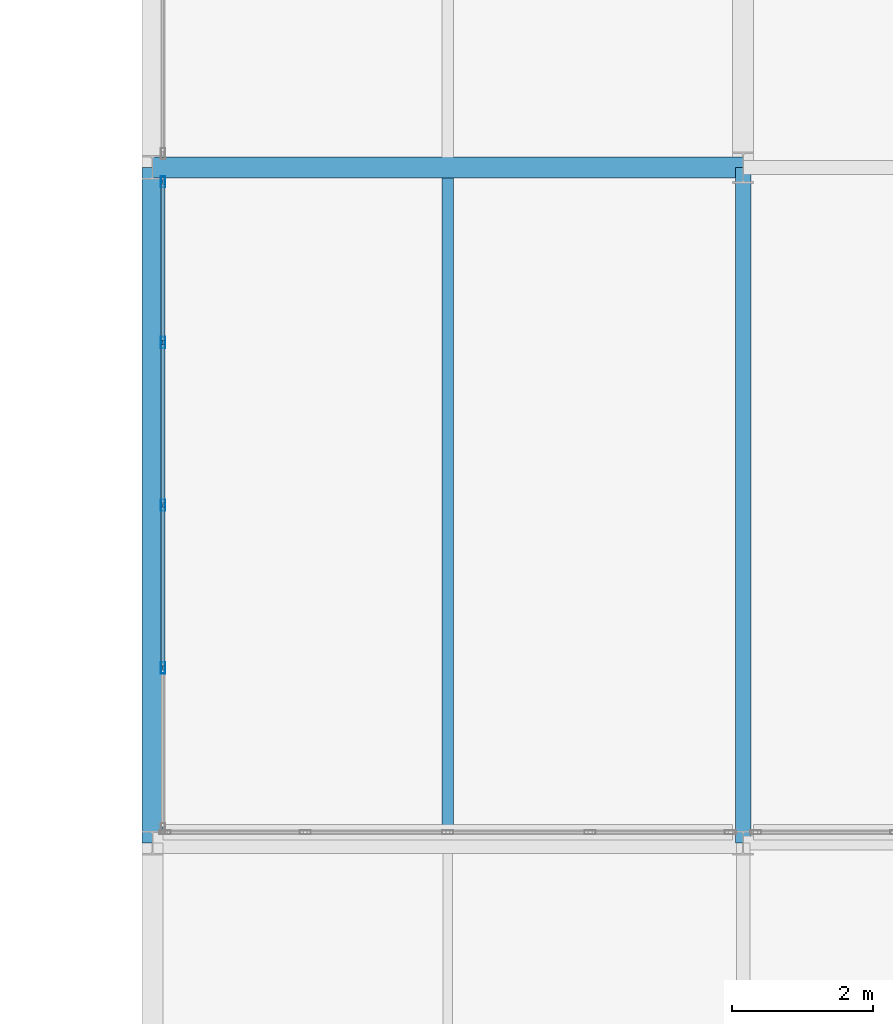
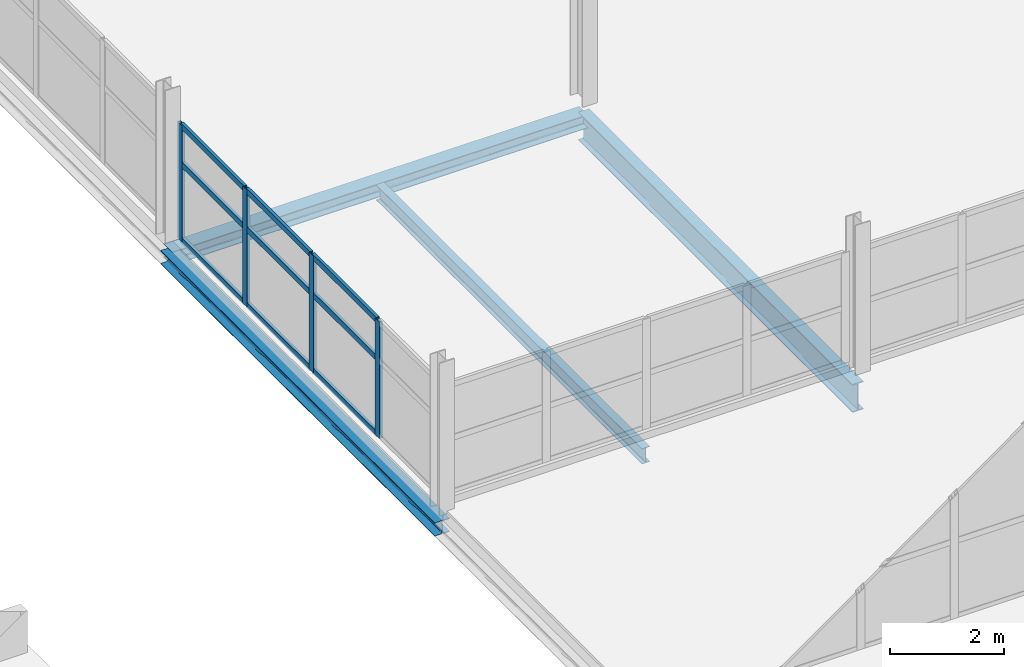
# One storey, part 25 of 103: 13 members, 4 beams, 1 element without a shape of its own.
"""IFC4 building model written with IfcOpenShell, lengths in metres."""

from ifc_helpers import new_model, si_unit, direction, frame, origin, origin_2d, place, context, subcontext, project, spatial, hollow_rectangle, i_section, extrude, material, material_profile, profile_set, type_object, element, aggregate, save


model = new_model("IFC4")

# Units and contexts
model_context = context("Model", 3, precision=1e-05, world=origin(), true_north=direction((0.0, 1.0)))
body_context = subcontext(model_context, "Body", "Model", "MODEL_VIEW")
ifc_project = project(units=[si_unit("LENGTHUNIT", "METRE"), si_unit("AREAUNIT", "SQUARE_METRE"), si_unit("VOLUMEUNIT", "CUBIC_METRE"), si_unit("PLANEANGLEUNIT", "RADIAN"), si_unit("MASSUNIT", "GRAM", prefix="KILO")], contexts=[model_context])

# Site, building, storey
site_placement = place(None, origin())
site = spatial("IfcSite", under=ifc_project, at=site_placement, CompositionType="ELEMENT")
building_placement = place(site_placement, origin())
building = spatial("IfcBuilding", under=site, at=building_placement, Name="Veltarok Museum of Natural Sciences", CompositionType="ELEMENT")
storey_placement = place(building_placement, frame((0.0, 0.0, 21.89990234375)))
storey = spatial("IfcBuildingStorey", under=building, at=storey_placement, Name="L04", CompositionType="ELEMENT", Elevation=21.89990234375)

# Curtain wall, members
ifc_material_1 = material(Name="Low-iron triple insulated glass", Category="glass")
curtain_wall_type = type_object("IfcCurtainWallType", Name="Curtain Wall System CW-V2W-L04-3-926x249 (CW-V2W L04 926x249cm)", PredefinedType="NOTDEFINED", material=ifc_material_1)
curtain_wall_placement = place(storey_placement, origin())
curtain_wall = element("IfcCurtainWall", 1, at=curtain_wall_placement, inside=storey, type_object=curtain_wall_type, Name="Curtain Wall CW-V2W-L04-3-926x249 CW-0147", PredefinedType="NOTDEFINED")
ifc_material_2 = material(Name="Thermally broken anodised aluminium", Category="aluminium")
ifc_material_profile_1 = material_profile(ifc_material_2, hollow_rectangle(XDim=0.06005859375, YDim=0.1201171875, WallThickness=0.0048828125, at=origin_2d()), Name="CW TRANSOM 60x120x5")
ifc_profile_set_1 = profile_set([ifc_material_profile_1], Name="Thermally broken anodised aluminium")
member_type_1 = type_object("IfcMemberType", Name="Curtain Wall Horizontal Transom 60x120x5", PredefinedType="USERDEFINED", material=ifc_profile_set_1)
member_1_placement = place(storey_placement, frame((40.14990234375, 28.9150390625, 0.028076171875), z_axis=(0.0, 1.0, 0.0), x_axis=(-1.0, 0.0, 0.0)))
member_1 = element("IfcMember", 2, at=member_1_placement, type_object=member_type_1, Name="CW-V2W-L04-3-926x249 transom 2.1", ObjectType="TRANSOM", PredefinedType="USERDEFINED", context=body_context, shape_type="SweptSolid", body=[
    extrude(hollow_rectangle(XDim=0.06005859375, YDim=0.1201171875, WallThickness=0.0048828125, at=origin_2d()), origin(), (0.0, 0.0, 1.0), 2.2548828125),
])
member_2_placement = place(storey_placement, frame((40.14990234375, 28.9150390625, 1.648193359375), z_axis=(0.0, 1.0, 0.0), x_axis=(-1.0, 0.0, 0.0)))
member_2 = element("IfcMember", 3, at=member_2_placement, type_object=member_type_1, Name="CW-V2W-L04-3-926x249 transom 2.2", ObjectType="TRANSOM", PredefinedType="USERDEFINED", context=body_context, shape_type="SweptSolid", body=[
    extrude(hollow_rectangle(XDim=0.06005859375, YDim=0.1201171875, WallThickness=0.0048828125, at=origin_2d()), origin(), (0.0, 0.0, 1.0), 2.2548828125),
])
member_3_placement = place(storey_placement, frame((40.14990234375, 28.9150390625, 2.460205078125), z_axis=(0.0, 1.0, 0.0), x_axis=(-1.0, 0.0, 0.0)))
member_3 = element("IfcMember", 4, at=member_3_placement, type_object=member_type_1, Name="CW-V2W-L04-3-926x249 transom 2.3", ObjectType="TRANSOM", PredefinedType="USERDEFINED", context=body_context, shape_type="SweptSolid", body=[
    extrude(hollow_rectangle(XDim=0.06005859375, YDim=0.1201171875, WallThickness=0.0048828125, at=origin_2d()), origin(), (0.0, 0.0, 1.0), 2.2548828125),
])
member_4_placement = place(storey_placement, frame((40.14990234375, 31.22998046875, 0.028076171875), z_axis=(0.0, 1.0, 0.0), x_axis=(-1.0, 0.0, 0.0)))
member_4 = element("IfcMember", 5, at=member_4_placement, type_object=member_type_1, Name="CW-V2W-L04-3-926x249 transom 3.1", ObjectType="TRANSOM", PredefinedType="USERDEFINED", context=body_context, shape_type="SweptSolid", body=[
    extrude(hollow_rectangle(XDim=0.06005859375, YDim=0.1201171875, WallThickness=0.0048828125, at=origin_2d()), origin(), (0.0, 0.0, 1.0), 2.255126953125),
])
member_5_placement = place(storey_placement, frame((40.14990234375, 31.22998046875, 1.648193359375), z_axis=(0.0, 1.0, 0.0), x_axis=(-1.0, 0.0, 0.0)))
member_5 = element("IfcMember", 6, at=member_5_placement, type_object=member_type_1, Name="CW-V2W-L04-3-926x249 transom 3.2", ObjectType="TRANSOM", PredefinedType="USERDEFINED", context=body_context, shape_type="SweptSolid", body=[
    extrude(hollow_rectangle(XDim=0.06005859375, YDim=0.1201171875, WallThickness=0.0048828125, at=origin_2d()), origin(), (0.0, 0.0, 1.0), 2.255126953125),
])
member_6_placement = place(storey_placement, frame((40.14990234375, 31.22998046875, 2.460205078125), z_axis=(0.0, 1.0, 0.0), x_axis=(-1.0, 0.0, 0.0)))
member_6 = element("IfcMember", 7, at=member_6_placement, type_object=member_type_1, Name="CW-V2W-L04-3-926x249 transom 3.3", ObjectType="TRANSOM", PredefinedType="USERDEFINED", context=body_context, shape_type="SweptSolid", body=[
    extrude(hollow_rectangle(XDim=0.06005859375, YDim=0.1201171875, WallThickness=0.0048828125, at=origin_2d()), origin(), (0.0, 0.0, 1.0), 2.255126953125),
])
member_7_placement = place(storey_placement, frame((40.14990234375, 33.544921875, 0.028076171875), z_axis=(0.0, 1.0, 0.0), x_axis=(-1.0, 0.0, 0.0)))
member_7 = element("IfcMember", 8, at=member_7_placement, type_object=member_type_1, Name="CW-V2W-L04-3-926x249 transom 4.1", ObjectType="TRANSOM", PredefinedType="USERDEFINED", context=body_context, shape_type="SweptSolid", body=[
    extrude(hollow_rectangle(XDim=0.06005859375, YDim=0.1201171875, WallThickness=0.0048828125, at=origin_2d()), origin(), (0.0, 0.0, 1.0), 2.22509765625),
])
member_8_placement = place(storey_placement, frame((40.14990234375, 33.544921875, 1.648193359375), z_axis=(0.0, 1.0, 0.0), x_axis=(-1.0, 0.0, 0.0)))
member_8 = element("IfcMember", 9, at=member_8_placement, type_object=member_type_1, Name="CW-V2W-L04-3-926x249 transom 4.2", ObjectType="TRANSOM", PredefinedType="USERDEFINED", context=body_context, shape_type="SweptSolid", body=[
    extrude(hollow_rectangle(XDim=0.06005859375, YDim=0.1201171875, WallThickness=0.0048828125, at=origin_2d()), origin(), (0.0, 0.0, 1.0), 2.22509765625),
])
member_9_placement = place(storey_placement, frame((40.14990234375, 33.544921875, 2.460205078125), z_axis=(0.0, 1.0, 0.0), x_axis=(-1.0, 0.0, 0.0)))
member_9 = element("IfcMember", 10, at=member_9_placement, type_object=member_type_1, Name="CW-V2W-L04-3-926x249 transom 4.3", ObjectType="TRANSOM", PredefinedType="USERDEFINED", context=body_context, shape_type="SweptSolid", body=[
    extrude(hollow_rectangle(XDim=0.06005859375, YDim=0.1201171875, WallThickness=0.0048828125, at=origin_2d()), origin(), (0.0, 0.0, 1.0), 2.22509765625),
])
ifc_material_profile_2 = material_profile(ifc_material_2, hollow_rectangle(XDim=0.06005859375, YDim=0.159912109375, WallThickness=0.0048828125, at=origin_2d()), Name="CW MULLION 60x160x5")
ifc_profile_set_2 = profile_set([ifc_material_profile_2], Name="Thermally broken anodised aluminium")
member_type_2 = type_object("IfcMemberType", Name="Curtain Wall Vertical Mullion 60x160x5", PredefinedType="MULLION", material=ifc_profile_set_2)
member_10_placement = place(storey_placement, frame((40.14990234375, 28.885009765625, -0.001953125), z_axis=(0.0, 0.0, 1.0), x_axis=(-1.0, 0.0, 0.0)))
member_10 = element("IfcMember", 11, at=member_10_placement, type_object=member_type_2, Name="CW-V2W-L04-3-926x249 mullion 2", PredefinedType="MULLION", context=body_context, shape_type="SweptSolid", body=[
    extrude(hollow_rectangle(XDim=0.06005859375, YDim=0.159912109375, WallThickness=0.0048828125, at=origin_2d()), origin(), (0.0, 0.0, 1.0), 2.491943359375),
])
member_11_placement = place(storey_placement, frame((40.14990234375, 31.199951171875, -0.001953125), z_axis=(0.0, 0.0, 1.0), x_axis=(-1.0, 0.0, 0.0)))
member_11 = element("IfcMember", 12, at=member_11_placement, type_object=member_type_2, Name="CW-V2W-L04-3-926x249 mullion 3", PredefinedType="MULLION", context=body_context, shape_type="SweptSolid", body=[
    extrude(hollow_rectangle(XDim=0.06005859375, YDim=0.159912109375, WallThickness=0.0048828125, at=origin_2d()), origin(), (0.0, 0.0, 1.0), 2.491943359375),
])
member_12_placement = place(storey_placement, frame((40.14990234375, 33.514892578125, -0.001953125), z_axis=(0.0, 0.0, 1.0), x_axis=(-1.0, 0.0, 0.0)))
member_12 = element("IfcMember", 13, at=member_12_placement, type_object=member_type_2, Name="CW-V2W-L04-3-926x249 mullion 4", PredefinedType="MULLION", context=body_context, shape_type="SweptSolid", body=[
    extrude(hollow_rectangle(XDim=0.06005859375, YDim=0.159912109375, WallThickness=0.0048828125, at=origin_2d()), origin(), (0.0, 0.0, 1.0), 2.491943359375),
])
member_13_placement = place(storey_placement, frame((40.14990234375, 35.800048828125, -0.001953125), z_axis=(0.0, 0.0, 1.0), x_axis=(-1.0, 0.0, 0.0)))
member_13 = element("IfcMember", 14, at=member_13_placement, type_object=member_type_2, Name="CW-V2W-L04-3-926x249 mullion 5", PredefinedType="MULLION", context=body_context, shape_type="SweptSolid", body=[
    extrude(hollow_rectangle(XDim=0.06005859375, YDim=0.159912109375, WallThickness=0.0048828125, at=origin_2d()), origin(), (0.0, 0.0, 1.0), 2.491943359375),
])
aggregate(curtain_wall, [member_10, member_11, member_12, member_13, member_1, member_2, member_3, member_4, member_5, member_6, member_7, member_8, member_9])

# Beams
ifc_material_3 = material(Name="Steel S355J2", Category="steel")
ifc_material_profile_3 = material_profile(ifc_material_3, i_section(OverallWidth=0.300048828125, OverallDepth=0.2900390625, WebThickness=0.008544921875, FlangeThickness=0.013916015625, FilletRadius=0.027099609375, at=origin_2d()), Name="HEA 300")
ifc_profile_set_3 = profile_set([ifc_material_profile_3], Name="Steel S355J2")
beam_type_1 = type_object("IfcBeamType", Name="Glazed Hall Edge Spandrel HEA 300", PredefinedType="SPANDREL", material=ifc_profile_set_3)
beam_1_placement = place(storey_placement, frame((40.0, 36.0, -0.39501953125), z_axis=(1.0, 0.0, 0.0), x_axis=(0.0, 1.0, 0.0)))
element("IfcBeam", 15, at=beam_1_placement, inside=storey, type_object=beam_type_1, Name="Beam BM-SP03 L04 5-6/E", PredefinedType="SPANDREL", context=body_context, shape_type="SweptSolid", body=[
    extrude(i_section(OverallWidth=0.300048828125, OverallDepth=0.2900390625, WebThickness=0.008544921875, FlangeThickness=0.013916015625, FilletRadius=0.027099609375, at=origin_2d()), origin(), (0.0, 0.0, 1.0), 8.39990234375),
])
beam_2_placement = place(storey_placement, frame((40.0, 26.39990234375, -0.39501953125), z_axis=(0.0, 1.0, 0.0), x_axis=(-1.0, 0.0, 0.0)))
element("IfcBeam", 16, at=beam_2_placement, inside=storey, type_object=beam_type_1, Name="Beam BM-SP03 L04 5/D-E", PredefinedType="SPANDREL", context=body_context, shape_type="SweptSolid", body=[
    extrude(i_section(OverallWidth=0.300048828125, OverallDepth=0.2900390625, WebThickness=0.008544921875, FlangeThickness=0.013916015625, FilletRadius=0.027099609375, at=origin_2d()), origin(), (0.0, 0.0, 1.0), 9.60009765625),
])
ifc_material_profile_4 = material_profile(ifc_material_3, i_section(OverallWidth=0.159912109375, OverallDepth=0.330078125, WebThickness=0.007568359375, FlangeThickness=0.011474609375, FilletRadius=0.01806640625, at=origin_2d()), Name="IPE 330")
ifc_profile_set_4 = profile_set([ifc_material_profile_4], Name="Steel S355J2")
beam_type_2 = type_object("IfcBeamType", Name="Medium-Bay Composite Joist IPE 330", PredefinedType="JOIST", material=ifc_profile_set_4)
beam_3_placement = place(storey_placement, frame((44.199951171875, 26.548095703125, -0.414794921875), z_axis=(0.0, 1.0, 0.0), x_axis=(-1.0, 0.0, 0.0)))
element("IfcBeam", 17, at=beam_3_placement, inside=storey, type_object=beam_type_2, Name="Secondary Joist BM-J02 L04 5-6/D-E.1", PredefinedType="JOIST", context=body_context, shape_type="SweptSolid", body=[
    extrude(i_section(OverallWidth=0.159912109375, OverallDepth=0.330078125, WebThickness=0.007568359375, FlangeThickness=0.011474609375, FilletRadius=0.01806640625, at=origin_2d()), origin(), (0.0, 0.0, 1.0), 9.303955078125),
])
ifc_material_profile_5 = material_profile(ifc_material_3, i_section(OverallWidth=0.219970703125, OverallDepth=0.60009765625, WebThickness=0.011962890625, FlangeThickness=0.01904296875, FilletRadius=0.02392578125, at=origin_2d()), Name="IPE 600")
ifc_profile_set_5 = profile_set([ifc_material_profile_5], Name="Steel S355J2")
beam_type_3 = type_object("IfcBeamType", Name="Primary Museum Girder IPE 600", PredefinedType="BEAM", material=ifc_profile_set_5)
beam_4_placement = place(storey_placement, frame((48.39990234375, 26.39990234375, -0.5498046875), z_axis=(0.0, 1.0, 0.0), x_axis=(-1.0, 0.0, 0.0)))
element("IfcBeam", 18, at=beam_4_placement, inside=storey, type_object=beam_type_3, Name="Beam BM-G02 L04 6/D-E", PredefinedType="BEAM", context=body_context, shape_type="SweptSolid", body=[
    extrude(i_section(OverallWidth=0.219970703125, OverallDepth=0.60009765625, WebThickness=0.011962890625, FlangeThickness=0.01904296875, FilletRadius=0.02392578125, at=origin_2d()), origin(), (0.0, 0.0, 1.0), 9.60009765625),
])

save(model, "model.ifc")
